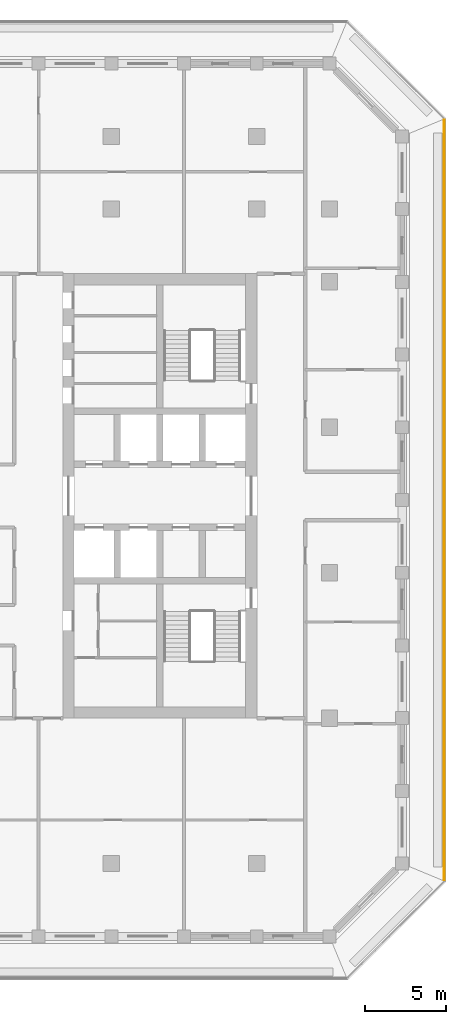
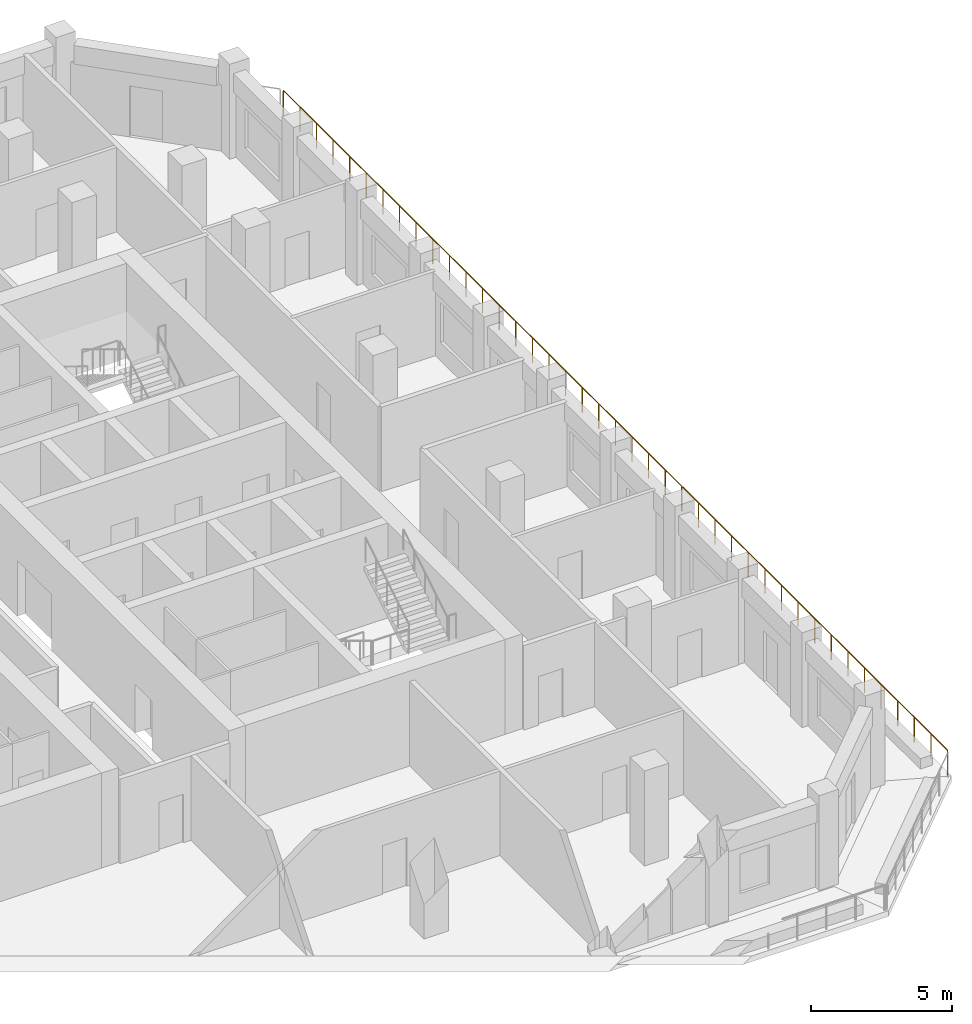
# One storey, part 13 of 17: 1 railing.
"""IFC4 building model written with IfcOpenShell, lengths in metres."""

from ifc_helpers import new_model, si_unit, direction, frame, origin, origin_2d, place, context, subcontext, project, spatial, circle, extrude, material, type_object, element, save


model = new_model("IFC4")

# Units and contexts
model_context = context("Model", 3, precision=1e-05, world=origin(), true_north=direction((0.0, 1.0)))
body_context = subcontext(model_context, "Body", "Model", "MODEL_VIEW")
ifc_project = project(units=[si_unit("LENGTHUNIT", "METRE"), si_unit("AREAUNIT", "SQUARE_METRE"), si_unit("VOLUMEUNIT", "CUBIC_METRE"), si_unit("PLANEANGLEUNIT", "RADIAN"), si_unit("MASSUNIT", "GRAM", prefix="KILO")], contexts=[model_context])

# Site, building, storey
site_placement = place(None, origin())
site = spatial("IfcSite", under=ifc_project, at=site_placement, CompositionType="ELEMENT")
building_placement = place(site_placement, origin())
building = spatial("IfcBuilding", under=site, at=building_placement, Name="Corbel Stack Research Tower", CompositionType="ELEMENT")
storey_placement = place(building_placement, frame((0.0, 0.0, 235.699951171875)))
storey = spatial("IfcBuildingStorey", under=building, at=storey_placement, Name="L53", CompositionType="ELEMENT", Elevation=235.699951171875)

# Railing
ifc_material = material(Name="Powder-coated steel guard", Category="steel")
railing_type = type_object("IfcRailingType", Name="Steel and glass guard 1100", PredefinedType="GUARDRAIL", material=ifc_material)
railing_placement = place(storey_placement, frame((29.60009765625, -19.00537109375, 0.0)))
element("IfcRailing", 1, at=railing_placement, inside=storey, type_object=railing_type, Name="Loggia guard L53 E", PredefinedType="GUARDRAIL", context=body_context, shape_type="SweptSolid", body=[
    extrude(circle(Radius=0.02392578125, at=origin_2d()), frame((0.0, 0.0, 1.076171875), z_axis=(0.0, 1.0, 0.0), x_axis=(-1.0, 0.0, 0.0)), (0.0, 0.0, 1.0), 47.0107421875),
    extrude(circle(Radius=0.02099609375, at=origin_2d()), origin(), (0.0, 0.0, 1.0), 1.052001953125),
    extrude(circle(Radius=0.02099609375, at=origin_2d()), frame((0.0, 1.17529296875, 0.0)), (0.0, 0.0, 1.0), 1.052001953125),
    extrude(circle(Radius=0.02099609375, at=origin_2d()), frame((0.0, 2.3505859375, 0.0)), (0.0, 0.0, 1.0), 1.052001953125),
    extrude(circle(Radius=0.02099609375, at=origin_2d()), frame((0.0, 3.52587890625, 0.0)), (0.0, 0.0, 1.0), 1.052001953125),
    extrude(circle(Radius=0.02099609375, at=origin_2d()), frame((0.0, 4.701171875, 0.0)), (0.0, 0.0, 1.0), 1.052001953125),
    extrude(circle(Radius=0.02099609375, at=origin_2d()), frame((0.0, 5.87646484375, 0.0)), (0.0, 0.0, 1.0), 1.052001953125),
    extrude(circle(Radius=0.02099609375, at=origin_2d()), frame((0.0, 7.051513671875, 0.0)), (0.0, 0.0, 1.0), 1.052001953125),
    extrude(circle(Radius=0.02099609375, at=origin_2d()), frame((0.0, 8.226806640625, 0.0)), (0.0, 0.0, 1.0), 1.052001953125),
    extrude(circle(Radius=0.02099609375, at=origin_2d()), frame((0.0, 9.402099609375, 0.0)), (0.0, 0.0, 1.0), 1.052001953125),
    extrude(circle(Radius=0.02099609375, at=origin_2d()), frame((0.0, 10.577392578125, 0.0)), (0.0, 0.0, 1.0), 1.052001953125),
    extrude(circle(Radius=0.02099609375, at=origin_2d()), frame((0.0, 11.752685546875, 0.0)), (0.0, 0.0, 1.0), 1.052001953125),
    extrude(circle(Radius=0.02099609375, at=origin_2d()), frame((0.0, 12.927978515625, 0.0)), (0.0, 0.0, 1.0), 1.052001953125),
    extrude(circle(Radius=0.02099609375, at=origin_2d()), frame((0.0, 14.103271484375, 0.0)), (0.0, 0.0, 1.0), 1.052001953125),
    extrude(circle(Radius=0.02099609375, at=origin_2d()), frame((0.0, 15.278564453125, 0.0)), (0.0, 0.0, 1.0), 1.052001953125),
    extrude(circle(Radius=0.02099609375, at=origin_2d()), frame((0.0, 16.453857421875, 0.0)), (0.0, 0.0, 1.0), 1.052001953125),
    extrude(circle(Radius=0.02099609375, at=origin_2d()), frame((0.0, 17.62890625, 0.0)), (0.0, 0.0, 1.0), 1.052001953125),
    extrude(circle(Radius=0.02099609375, at=origin_2d()), frame((0.0, 18.80419921875, 0.0)), (0.0, 0.0, 1.0), 1.052001953125),
    extrude(circle(Radius=0.02099609375, at=origin_2d()), frame((0.0, 19.9794921875, 0.0)), (0.0, 0.0, 1.0), 1.052001953125),
    extrude(circle(Radius=0.02099609375, at=origin_2d()), frame((0.0, 21.15478515625, 0.0)), (0.0, 0.0, 1.0), 1.052001953125),
    extrude(circle(Radius=0.02099609375, at=origin_2d()), frame((0.0, 22.330078125, 0.0)), (0.0, 0.0, 1.0), 1.052001953125),
    extrude(circle(Radius=0.02099609375, at=origin_2d()), frame((0.0, 23.50537109375, 0.0)), (0.0, 0.0, 1.0), 1.052001953125),
    extrude(circle(Radius=0.02099609375, at=origin_2d()), frame((0.0, 24.6806640625, 0.0)), (0.0, 0.0, 1.0), 1.052001953125),
    extrude(circle(Radius=0.02099609375, at=origin_2d()), frame((0.0, 25.85595703125, 0.0)), (0.0, 0.0, 1.0), 1.052001953125),
    extrude(circle(Radius=0.02099609375, at=origin_2d()), frame((0.0, 27.03125, 0.0)), (0.0, 0.0, 1.0), 1.052001953125),
    extrude(circle(Radius=0.02099609375, at=origin_2d()), frame((0.0, 28.20654296875, 0.0)), (0.0, 0.0, 1.0), 1.052001953125),
    extrude(circle(Radius=0.02099609375, at=origin_2d()), frame((0.0, 29.3818359375, 0.0)), (0.0, 0.0, 1.0), 1.052001953125),
    extrude(circle(Radius=0.02099609375, at=origin_2d()), frame((0.0, 30.556884765625, 0.0)), (0.0, 0.0, 1.0), 1.052001953125),
    extrude(circle(Radius=0.02099609375, at=origin_2d()), frame((0.0, 31.732177734375, 0.0)), (0.0, 0.0, 1.0), 1.052001953125),
    extrude(circle(Radius=0.02099609375, at=origin_2d()), frame((0.0, 32.907470703125, 0.0)), (0.0, 0.0, 1.0), 1.052001953125),
    extrude(circle(Radius=0.02099609375, at=origin_2d()), frame((0.0, 34.082763671875, 0.0)), (0.0, 0.0, 1.0), 1.052001953125),
    extrude(circle(Radius=0.02099609375, at=origin_2d()), frame((0.0, 35.258056640625, 0.0)), (0.0, 0.0, 1.0), 1.052001953125),
    extrude(circle(Radius=0.02099609375, at=origin_2d()), frame((0.0, 36.433349609375, 0.0)), (0.0, 0.0, 1.0), 1.052001953125),
    extrude(circle(Radius=0.02099609375, at=origin_2d()), frame((0.0, 37.608642578125, 0.0)), (0.0, 0.0, 1.0), 1.052001953125),
    extrude(circle(Radius=0.02099609375, at=origin_2d()), frame((0.0, 38.783935546875, 0.0)), (0.0, 0.0, 1.0), 1.052001953125),
    extrude(circle(Radius=0.02099609375, at=origin_2d()), frame((0.0, 39.959228515625, 0.0)), (0.0, 0.0, 1.0), 1.052001953125),
    extrude(circle(Radius=0.02099609375, at=origin_2d()), frame((0.0, 41.13427734375, 0.0)), (0.0, 0.0, 1.0), 1.052001953125),
    extrude(circle(Radius=0.02099609375, at=origin_2d()), frame((0.0, 42.3095703125, 0.0)), (0.0, 0.0, 1.0), 1.052001953125),
    extrude(circle(Radius=0.02099609375, at=origin_2d()), frame((0.0, 43.48486328125, 0.0)), (0.0, 0.0, 1.0), 1.052001953125),
    extrude(circle(Radius=0.02099609375, at=origin_2d()), frame((0.0, 44.66015625, 0.0)), (0.0, 0.0, 1.0), 1.052001953125),
    extrude(circle(Radius=0.02099609375, at=origin_2d()), frame((0.0, 45.83544921875, 0.0)), (0.0, 0.0, 1.0), 1.052001953125),
    extrude(circle(Radius=0.02099609375, at=origin_2d()), frame((0.0, 47.0107421875, 0.0)), (0.0, 0.0, 1.0), 1.052001953125),
])

save(model, "model.ifc")
